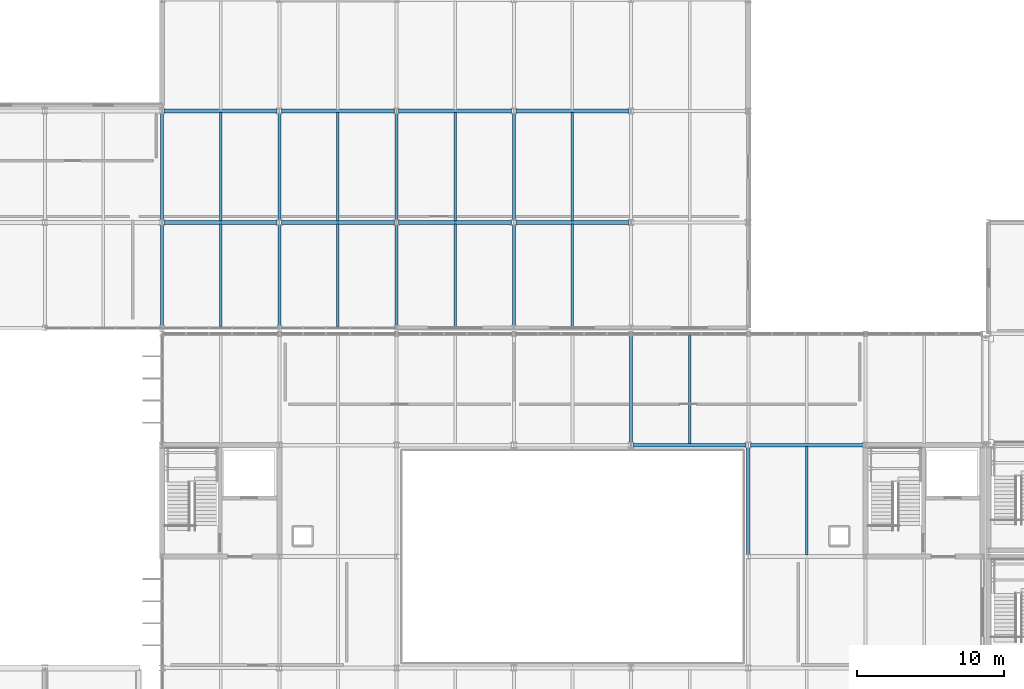
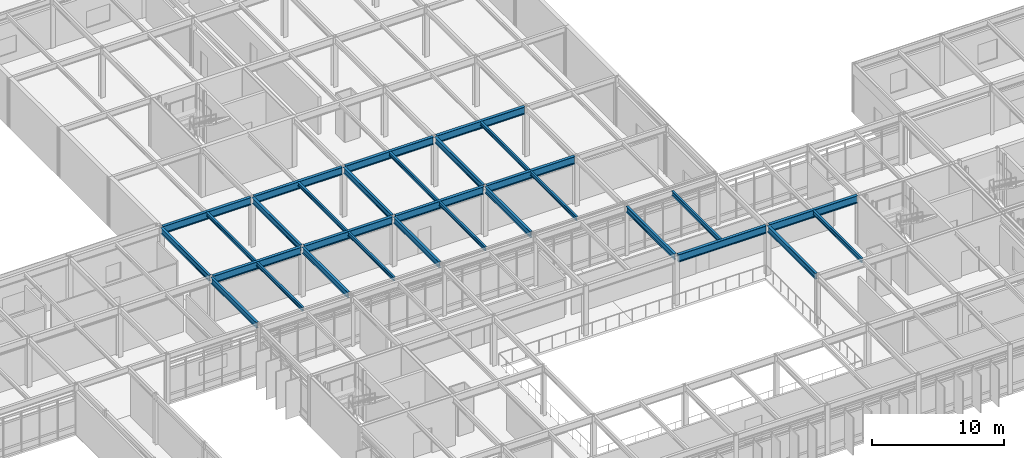
# One storey, part 52 of 104: 30 beams.
"""IFC4 building model written with IfcOpenShell, lengths in metres."""

from ifc_helpers import new_model, si_unit, direction, frame, origin, origin_2d, place, context, subcontext, project, spatial, i_section, extrude, material, material_profile, profile_set, type_object, element, save


model = new_model("IFC4")

# Units and contexts
model_context = context("Model", 3, precision=1e-05, world=origin(), true_north=direction((0.0, 1.0)))
body_context = subcontext(model_context, "Body", "Model", "MODEL_VIEW")
ifc_project = project(units=[si_unit("LENGTHUNIT", "METRE"), si_unit("AREAUNIT", "SQUARE_METRE"), si_unit("VOLUMEUNIT", "CUBIC_METRE"), si_unit("PLANEANGLEUNIT", "RADIAN"), si_unit("MASSUNIT", "GRAM", prefix="KILO")], contexts=[model_context])

# Site, building, storey
site_placement = place(None, origin())
site = spatial("IfcSite", under=ifc_project, at=site_placement, CompositionType="ELEMENT")
building_placement = place(site_placement, origin())
building = spatial("IfcBuilding", under=site, at=building_placement, Name="Zulena Civic Courthouse", CompositionType="ELEMENT")
storey_placement = place(building_placement, frame((0.0, 0.0, 10.800048828125)))
storey = spatial("IfcBuildingStorey", under=building, at=storey_placement, Name="L02", CompositionType="ELEMENT", Elevation=10.800048828125)

# Beams
ifc_material = material(Name="Steel ASTM A992 Grade 50", Category="steel")
ifc_material_profile_1 = material_profile(ifc_material, i_section(OverallWidth=0.2099609375, OverallDepth=0.537109375, WebThickness=0.010986328125, FlangeThickness=0.017333984375, FilletRadius=0.0126953125, at=origin_2d()), Name="W21X68")
ifc_profile_set_1 = profile_set([ifc_material_profile_1], Name="Steel ASTM A992 Grade 50")
beam_type_1 = type_object("IfcBeamType", Name="Girder_W21X68", PredefinedType="BEAM", material=ifc_profile_set_1)
for number, where, z_axis, x_axis, name in (
    (1, (68.0, 53.344970703125, 4.321533203125), (0.0, 1.0, 0.0), (-1.0, 0.0, 0.0), "beam:Y:V5:L02:68.0:53.2_60.8"),
    (2, (76.0, 53.344970703125, 4.321533203125), (0.0, 1.0, 0.0), (-1.0, 0.0, 0.0), "beam:Y:V5:L02:76.0:53.2_60.8"),
    (3, (84.0, 53.344970703125, 4.321533203125), (0.0, 1.0, 0.0), (-1.0, 0.0, 0.0), "beam:Y:V5:L02:84.0:53.2_60.8"),
    (4, (92.0, 53.344970703125, 4.321533203125), (0.0, 1.0, 0.0), (-1.0, 0.0, 0.0), "beam:Y:V5:L02:92.0:53.2_60.8"),
):
    element("IfcBeam", number, at=place(storey_placement, frame(where, z_axis=z_axis, x_axis=x_axis)), inside=storey, type_object=beam_type_1, Name=name, PredefinedType="BEAM", context=body_context, shape_type="SweptSolid", body=[
        extrude(i_section(OverallWidth=0.2099609375, OverallDepth=0.537109375, WebThickness=0.010986328125, FlangeThickness=0.017333984375, FilletRadius=0.0126953125, at=origin_2d()), origin(), (0.0, 0.0, 1.0), 7.31005859375),
    ])
ifc_material_profile_2 = material_profile(ifc_material, i_section(OverallWidth=0.214111328125, OverallDepth=0.549072265625, WebThickness=0.0146484375, FlangeThickness=0.023681640625, FilletRadius=0.0126953125, at=origin_2d()), Name="W21X93")
ifc_profile_set_2 = profile_set([ifc_material_profile_2], Name="Steel ASTM A992 Grade 50")
beam_type_2 = type_object("IfcBeamType", Name="Girder_W21X93", PredefinedType="BEAM", material=ifc_profile_set_2)
beam_1_placement = place(storey_placement, frame((108.0, 30.544921875, 4.3154296875), z_axis=(0.0, 1.0, 0.0), x_axis=(-1.0, 0.0, 0.0)))
element("IfcBeam", 5, at=beam_1_placement, inside=storey, type_object=beam_type_2, Name="beam:Y:V4:L02:108.0:30.4_38.0", PredefinedType="BEAM", context=body_context, shape_type="SweptSolid", body=[
    extrude(i_section(OverallWidth=0.214111328125, OverallDepth=0.549072265625, WebThickness=0.0146484375, FlangeThickness=0.023681640625, FilletRadius=0.0126953125, at=origin_2d()), origin(), (0.0, 0.0, 1.0), 7.31005859375),
])
ifc_material_profile_3 = material_profile(ifc_material, i_section(OverallWidth=0.25390625, OverallDepth=0.68798828125, WebThickness=0.01318359375, FlangeThickness=0.02099609375, FilletRadius=0.0166015625, at=origin_2d()), Name="W27X102")
ifc_profile_set_3 = profile_set([ifc_material_profile_3], Name="Steel ASTM A992 Grade 50")
beam_type_3 = type_object("IfcBeamType", Name="Girder_W27X102", PredefinedType="BEAM", material=ifc_profile_set_3)
for number, where, z_axis, x_axis, name in (
    (6, (68.14501953125, 53.199951171875, 4.245849609375), (1.0, 0.0, 0.0), (0.0, 1.0, 0.0), "beam:X:V5:L02:53.2:68.0_76.0"),
    (7, (76.14501953125, 53.199951171875, 4.245849609375), (1.0, 0.0, 0.0), (0.0, 1.0, 0.0), "beam:X:V5:L02:53.2:76.0_84.0"),
    (8, (84.14501953125, 53.199951171875, 4.245849609375), (1.0, 0.0, 0.0), (0.0, 1.0, 0.0), "beam:X:V5:L02:53.2:84.0_92.0"),
    (9, (92.14501953125, 53.199951171875, 4.245849609375), (1.0, 0.0, 0.0), (0.0, 1.0, 0.0), "beam:X:V5:L02:53.2:92.0_100.0"),
    (10, (68.14501953125, 60.800048828125, 4.245849609375), (1.0, 0.0, 0.0), (0.0, 1.0, 0.0), "beam:X:V5:L02:60.8:68.0_76.0"),
    (11, (76.14501953125, 60.800048828125, 4.245849609375), (1.0, 0.0, 0.0), (0.0, 1.0, 0.0), "beam:X:V5:L02:60.8:76.0_84.0"),
    (12, (84.14501953125, 60.800048828125, 4.245849609375), (1.0, 0.0, 0.0), (0.0, 1.0, 0.0), "beam:X:V5:L02:60.8:84.0_92.0"),
    (13, (92.14501953125, 60.800048828125, 4.245849609375), (1.0, 0.0, 0.0), (0.0, 1.0, 0.0), "beam:X:V5:L02:60.8:92.0_100.0"),
):
    element("IfcBeam", number, at=place(storey_placement, frame(where, z_axis=z_axis, x_axis=x_axis)), inside=storey, type_object=beam_type_3, Name=name, PredefinedType="BEAM", context=body_context, shape_type="SweptSolid", body=[
        extrude(i_section(OverallWidth=0.25390625, OverallDepth=0.68798828125, WebThickness=0.01318359375, FlangeThickness=0.02099609375, FilletRadius=0.0166015625, at=origin_2d()), origin(), (0.0, 0.0, 1.0), 7.7099609375),
    ])
ifc_material_profile_4 = material_profile(ifc_material, i_section(OverallWidth=0.25390625, OverallDepth=0.701904296875, WebThickness=0.015380859375, FlangeThickness=0.02783203125, FilletRadius=0.0166015625, at=origin_2d()), Name="W27X129")
ifc_profile_set_4 = profile_set([ifc_material_profile_4], Name="Steel ASTM A992 Grade 50")
beam_type_4 = type_object("IfcBeamType", Name="Girder_W27X129", PredefinedType="BEAM", material=ifc_profile_set_4)
for number, where, z_axis, x_axis, name in (
    (14, (100.14501953125, 38.0, 4.239013671875), (1.0, 0.0, 0.0), (0.0, 1.0, 0.0), "beam:X:V4:L02:38.0:100.0_108.0"),
    (15, (108.14501953125, 38.0, 4.239013671875), (1.0, 0.0, 0.0), (0.0, 1.0, 0.0), "beam:X:V4:L02:38.0:108.0_116.0"),
):
    element("IfcBeam", number, at=place(storey_placement, frame(where, z_axis=z_axis, x_axis=x_axis)), inside=storey, type_object=beam_type_4, Name=name, PredefinedType="BEAM", context=body_context, shape_type="SweptSolid", body=[
        extrude(i_section(OverallWidth=0.25390625, OverallDepth=0.701904296875, WebThickness=0.015380859375, FlangeThickness=0.02783203125, FilletRadius=0.0166015625, at=origin_2d()), origin(), (0.0, 0.0, 1.0), 7.7099609375),
    ])
ifc_material_profile_5 = material_profile(ifc_material, i_section(OverallWidth=0.1708984375, OverallDepth=0.35205078125, WebThickness=0.0068359375, FlangeThickness=0.009765625, FilletRadius=0.01025390625, at=origin_2d()), Name="W14X30")
ifc_profile_set_5 = profile_set([ifc_material_profile_5], Name="Steel ASTM A992 Grade 50")
beam_type_5 = type_object("IfcBeamType", Name="Joist_W14X30", PredefinedType="JOIST", material=ifc_profile_set_5)
beam_2_placement = place(storey_placement, frame((72.0, 46.10498046875, 4.4140625), z_axis=(0.0, 1.0, 0.0), x_axis=(-1.0, 0.0, 0.0)))
element("IfcBeam", 16, at=beam_2_placement, inside=storey, type_object=beam_type_5, Name="joist:V5:L02:72.00:46.0_53.2", PredefinedType="JOIST", context=body_context, shape_type="SweptSolid", body=[
    extrude(i_section(OverallWidth=0.1708984375, OverallDepth=0.35205078125, WebThickness=0.0068359375, FlangeThickness=0.009765625, FilletRadius=0.01025390625, at=origin_2d()), origin(), (0.0, 0.0, 1.0), 6.989990234375),
])
beam_3_placement = place(storey_placement, frame((72.0, 53.304931640625, 4.4140625), z_axis=(0.0, 1.0, 0.0), x_axis=(-1.0, 0.0, 0.0)))
element("IfcBeam", 17, at=beam_3_placement, inside=storey, type_object=beam_type_5, Name="joist:V5:L02:72.00:53.2_60.8", PredefinedType="JOIST", context=body_context, shape_type="SweptSolid", body=[
    extrude(i_section(OverallWidth=0.1708984375, OverallDepth=0.35205078125, WebThickness=0.0068359375, FlangeThickness=0.009765625, FilletRadius=0.01025390625, at=origin_2d()), origin(), (0.0, 0.0, 1.0), 7.39013671875),
])
beam_4_placement = place(storey_placement, frame((80.0, 46.10498046875, 4.4140625), z_axis=(0.0, 1.0, 0.0), x_axis=(-1.0, 0.0, 0.0)))
element("IfcBeam", 18, at=beam_4_placement, inside=storey, type_object=beam_type_5, Name="joist:V5:L02:80.00:46.0_53.2", PredefinedType="JOIST", context=body_context, shape_type="SweptSolid", body=[
    extrude(i_section(OverallWidth=0.1708984375, OverallDepth=0.35205078125, WebThickness=0.0068359375, FlangeThickness=0.009765625, FilletRadius=0.01025390625, at=origin_2d()), origin(), (0.0, 0.0, 1.0), 6.989990234375),
])
beam_5_placement = place(storey_placement, frame((80.0, 53.304931640625, 4.4140625), z_axis=(0.0, 1.0, 0.0), x_axis=(-1.0, 0.0, 0.0)))
element("IfcBeam", 19, at=beam_5_placement, inside=storey, type_object=beam_type_5, Name="joist:V5:L02:80.00:53.2_60.8", PredefinedType="JOIST", context=body_context, shape_type="SweptSolid", body=[
    extrude(i_section(OverallWidth=0.1708984375, OverallDepth=0.35205078125, WebThickness=0.0068359375, FlangeThickness=0.009765625, FilletRadius=0.01025390625, at=origin_2d()), origin(), (0.0, 0.0, 1.0), 7.39013671875),
])
beam_6_placement = place(storey_placement, frame((88.0, 46.10498046875, 4.4140625), z_axis=(0.0, 1.0, 0.0), x_axis=(-1.0, 0.0, 0.0)))
element("IfcBeam", 20, at=beam_6_placement, inside=storey, type_object=beam_type_5, Name="joist:V5:L02:88.00:46.0_53.2", PredefinedType="JOIST", context=body_context, shape_type="SweptSolid", body=[
    extrude(i_section(OverallWidth=0.1708984375, OverallDepth=0.35205078125, WebThickness=0.0068359375, FlangeThickness=0.009765625, FilletRadius=0.01025390625, at=origin_2d()), origin(), (0.0, 0.0, 1.0), 6.989990234375),
])
beam_7_placement = place(storey_placement, frame((88.0, 53.304931640625, 4.4140625), z_axis=(0.0, 1.0, 0.0), x_axis=(-1.0, 0.0, 0.0)))
element("IfcBeam", 21, at=beam_7_placement, inside=storey, type_object=beam_type_5, Name="joist:V5:L02:88.00:53.2_60.8", PredefinedType="JOIST", context=body_context, shape_type="SweptSolid", body=[
    extrude(i_section(OverallWidth=0.1708984375, OverallDepth=0.35205078125, WebThickness=0.0068359375, FlangeThickness=0.009765625, FilletRadius=0.01025390625, at=origin_2d()), origin(), (0.0, 0.0, 1.0), 7.39013671875),
])
beam_8_placement = place(storey_placement, frame((96.0, 46.10498046875, 4.4140625), z_axis=(0.0, 1.0, 0.0), x_axis=(-1.0, 0.0, 0.0)))
element("IfcBeam", 22, at=beam_8_placement, inside=storey, type_object=beam_type_5, Name="joist:V5:L02:96.00:46.0_53.2", PredefinedType="JOIST", context=body_context, shape_type="SweptSolid", body=[
    extrude(i_section(OverallWidth=0.1708984375, OverallDepth=0.35205078125, WebThickness=0.0068359375, FlangeThickness=0.009765625, FilletRadius=0.01025390625, at=origin_2d()), origin(), (0.0, 0.0, 1.0), 6.989990234375),
])
beam_9_placement = place(storey_placement, frame((96.0, 53.304931640625, 4.4140625), z_axis=(0.0, 1.0, 0.0), x_axis=(-1.0, 0.0, 0.0)))
element("IfcBeam", 23, at=beam_9_placement, inside=storey, type_object=beam_type_5, Name="joist:V5:L02:96.00:53.2_60.8", PredefinedType="JOIST", context=body_context, shape_type="SweptSolid", body=[
    extrude(i_section(OverallWidth=0.1708984375, OverallDepth=0.35205078125, WebThickness=0.0068359375, FlangeThickness=0.009765625, FilletRadius=0.01025390625, at=origin_2d()), origin(), (0.0, 0.0, 1.0), 7.39013671875),
])
ifc_material_profile_6 = material_profile(ifc_material, i_section(OverallWidth=0.177978515625, OverallDepth=0.406005859375, WebThickness=0.0078125, FlangeThickness=0.0126953125, FilletRadius=0.01025390625, at=origin_2d()), Name="W16X40")
ifc_profile_set_6 = profile_set([ifc_material_profile_6], Name="Steel ASTM A992 Grade 50")
beam_type_6 = type_object("IfcBeamType", Name="Joist_W16X40", PredefinedType="JOIST", material=ifc_profile_set_6)
for number, where, z_axis, x_axis, name in (
    (24, (104.0, 38.10498046875, 4.386962890625), (0.0, 1.0, 0.0), (-1.0, 0.0, 0.0), "joist:V4:L02:104.00:38.0_45.6"),
    (25, (112.0, 30.5048828125, 4.386962890625), (0.0, 1.0, 0.0), (-1.0, 0.0, 0.0), "joist:V4:L02:112.00:30.4_38.0"),
):
    element("IfcBeam", number, at=place(storey_placement, frame(where, z_axis=z_axis, x_axis=x_axis)), inside=storey, type_object=beam_type_6, Name=name, PredefinedType="JOIST", context=body_context, shape_type="SweptSolid", body=[
        extrude(i_section(OverallWidth=0.177978515625, OverallDepth=0.406005859375, WebThickness=0.0078125, FlangeThickness=0.0126953125, FilletRadius=0.01025390625, at=origin_2d()), origin(), (0.0, 0.0, 1.0), 7.39013671875),
    ])
ifc_material_profile_7 = material_profile(ifc_material, i_section(OverallWidth=0.2099609375, OverallDepth=0.537109375, WebThickness=0.010986328125, FlangeThickness=0.017333984375, FilletRadius=0.0126953125, at=origin_2d()), Name="W21X68")
ifc_profile_set_7 = profile_set([ifc_material_profile_7], Name="Steel ASTM A992 Grade 50")
beam_type_7 = type_object("IfcBeamType", Name="Spandrel_W21X68", PredefinedType="SPANDREL", material=ifc_profile_set_7)
beam_10_placement = place(storey_placement, frame((100.0, 38.14501953125, 4.321533203125), z_axis=(0.0, 1.0, 0.0), x_axis=(-1.0, 0.0, 0.0)))
element("IfcBeam", 26, at=beam_10_placement, inside=storey, type_object=beam_type_7, Name="beam:Y:V4:L02:100.0:38.0_45.6", PredefinedType="SPANDREL", context=body_context, shape_type="SweptSolid", body=[
    extrude(i_section(OverallWidth=0.2099609375, OverallDepth=0.537109375, WebThickness=0.010986328125, FlangeThickness=0.017333984375, FilletRadius=0.0126953125, at=origin_2d()), origin(), (0.0, 0.0, 1.0), 7.31005859375),
])
for number, where, z_axis, x_axis, name in (
    (27, (68.0, 46.14501953125, 4.321533203125), (0.0, 1.0, 0.0), (-1.0, 0.0, 0.0), "beam:Y:V5:L02:68.0:46.0_53.2"),
    (28, (76.0, 46.14501953125, 4.321533203125), (0.0, 1.0, 0.0), (-1.0, 0.0, 0.0), "beam:Y:V5:L02:76.0:46.0_53.2"),
    (29, (84.0, 46.14501953125, 4.321533203125), (0.0, 1.0, 0.0), (-1.0, 0.0, 0.0), "beam:Y:V5:L02:84.0:46.0_53.2"),
    (30, (92.0, 46.14501953125, 4.321533203125), (0.0, 1.0, 0.0), (-1.0, 0.0, 0.0), "beam:Y:V5:L02:92.0:46.0_53.2"),
):
    element("IfcBeam", number, at=place(storey_placement, frame(where, z_axis=z_axis, x_axis=x_axis)), inside=storey, type_object=beam_type_7, Name=name, PredefinedType="SPANDREL", context=body_context, shape_type="SweptSolid", body=[
        extrude(i_section(OverallWidth=0.2099609375, OverallDepth=0.537109375, WebThickness=0.010986328125, FlangeThickness=0.017333984375, FilletRadius=0.0126953125, at=origin_2d()), origin(), (0.0, 0.0, 1.0), 6.909912109375),
    ])

save(model, "model.ifc")
